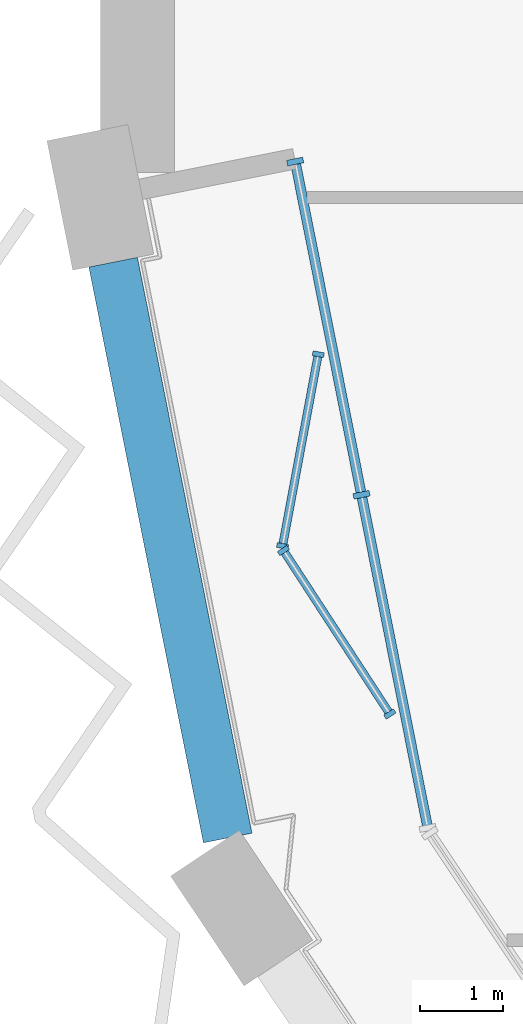
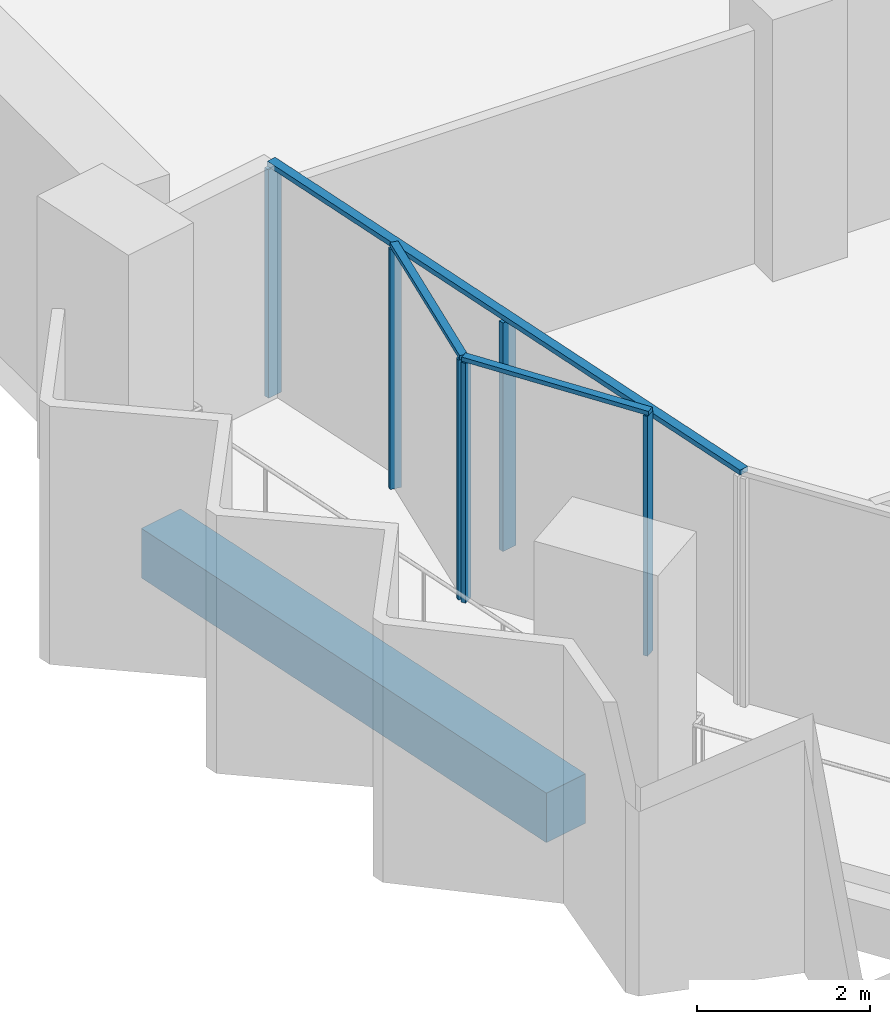
# One storey, part 3 of 17: 9 members, 1 beam, 3 elements without a shape of their own.
"""IFC4 building model written with IfcOpenShell, lengths in metres."""

from ifc_helpers import new_model, si_unit, direction, frame, origin, origin_2d, place, context, subcontext, project, spatial, rectangle, extrude, material, material_profile, profile_set, type_object, element, aggregate, save


model = new_model("IFC4")

# Units and contexts
model_context = context("Model", 3, precision=1e-05, world=origin(), true_north=direction((0.0, 1.0)))
body_context = subcontext(model_context, "Body", "Model", "MODEL_VIEW")
ifc_project = project(units=[si_unit("LENGTHUNIT", "METRE"), si_unit("AREAUNIT", "SQUARE_METRE"), si_unit("VOLUMEUNIT", "CUBIC_METRE"), si_unit("PLANEANGLEUNIT", "RADIAN"), si_unit("MASSUNIT", "GRAM", prefix="KILO")], contexts=[model_context])

# Site, building, storey
site_placement = place(None, origin())
site = spatial("IfcSite", under=ifc_project, at=site_placement, CompositionType="ELEMENT")
building_placement = place(site_placement, origin())
building = spatial("IfcBuilding", under=site, at=building_placement, Name="Hunhe Ridgeline Campus", CompositionType="ELEMENT")
storey_placement = place(building_placement, frame((0.0, 0.0, 268.800048828125)))
storey = spatial("IfcBuildingStorey", under=building, at=storey_placement, Name="L69", CompositionType="ELEMENT", Elevation=268.800048828125)

# Curtain wall, members
ifc_material_1 = material(Name="Aluminium 6063", Category="aluminium")
curtain_wall_type_1 = type_object("IfcCurtainWallType", Name="Curtain wall CW-2", PredefinedType="NOTDEFINED", material=ifc_material_1)
curtain_wall_1_placement = place(storey_placement, origin())
curtain_wall_1 = element("IfcCurtainWall", 1, at=curtain_wall_1_placement, inside=storey, type_object=curtain_wall_type_1, Name="Curtain wall B01a", PredefinedType="NOTDEFINED")
ifc_material_profile_1 = material_profile(ifc_material_1, rectangle(XDim=0.139892578125, YDim=0.06005859375, at=origin_2d()))
ifc_profile_set_1 = profile_set([ifc_material_profile_1], Name="Aluminium 6063")
member_type_1 = type_object("IfcMemberType", Name="CW-2 aluminium mullion", PredefinedType="MULLION", material=ifc_profile_set_1)
member_1_placement = place(storey_placement, frame((2.64111328125, 43.100341796875, 0.0), z_axis=(0.0, 0.0, 1.0), x_axis=(0.983091954213, -0.183112559813, 0.0)))
member_1 = element("IfcMember", 2, at=member_1_placement, type_object=member_type_1, Name="CW-2 mullion 1", PredefinedType="MULLION", context=body_context, shape_type="SweptSolid", body=[
    extrude(rectangle(XDim=0.139892578125, YDim=0.06005859375, at=origin_2d()), origin(), (0.0, 0.0, 1.0), 3.389892578125),
])
member_2_placement = place(storey_placement, frame((2.20849609375, 40.77685546875, 0.0), z_axis=(0.0, 0.0, 1.0), x_axis=(0.983091954213, -0.183112559813, 0.0)))
member_2 = element("IfcMember", 3, at=member_2_placement, type_object=member_type_1, Name="CW-2 mullion 2", PredefinedType="MULLION", context=body_context, shape_type="SweptSolid", body=[
    extrude(rectangle(XDim=0.139892578125, YDim=0.06005859375, at=origin_2d()), origin(), (0.0, 0.0, 1.0), 3.389892578125),
])

curtain_wall_2_placement = place(storey_placement, origin())
curtain_wall_2 = element("IfcCurtainWall", 4, at=curtain_wall_2_placement, inside=storey, type_object=curtain_wall_type_1, Name="Curtain wall B01b", PredefinedType="NOTDEFINED")
member_3_placement = place(storey_placement, frame((2.21923828125, 40.722412109375, 0.0), z_axis=(0.0, 0.0, 1.0), x_axis=(0.838178845176, 0.545395474403, 0.0)))
member_3 = element("IfcMember", 5, at=member_3_placement, type_object=member_type_1, Name="CW-2 mullion 1", PredefinedType="MULLION", context=body_context, shape_type="SweptSolid", body=[
    extrude(rectangle(XDim=0.139892578125, YDim=0.06005859375, at=origin_2d()), origin(), (0.0, 0.0, 1.0), 3.389892578125),
])
member_4_placement = place(storey_placement, frame((3.50830078125, 38.741455078125, 0.0), z_axis=(0.0, 0.0, 1.0), x_axis=(0.838178845176, 0.545395474403, 0.0)))
member_4 = element("IfcMember", 6, at=member_4_placement, type_object=member_type_1, Name="CW-2 mullion 2", PredefinedType="MULLION", context=body_context, shape_type="SweptSolid", body=[
    extrude(rectangle(XDim=0.139892578125, YDim=0.06005859375, at=origin_2d()), origin(), (0.0, 0.0, 1.0), 3.389892578125),
])

# Member
ifc_material_profile_2 = material_profile(ifc_material_1, rectangle(XDim=0.10009765625, YDim=0.06005859375, at=origin_2d()))
ifc_profile_set_2 = profile_set([ifc_material_profile_2], Name="Aluminium 6063")
member_type_2 = type_object("IfcMemberType", Name="CW-2 aluminium transom", PredefinedType="USERDEFINED", material=ifc_profile_set_2)
member_5_placement = place(storey_placement, frame((2.646728515625, 43.1298828125, 3.419921875), z_axis=(-0.183157011524, -0.983083673514, 0.0), x_axis=(0.983083673514, -0.183157011524, 0.0)))
member_5 = element("IfcMember", 7, at=member_5_placement, type_object=member_type_2, Name="CW-2 transom 1", ObjectType="TRANSOM", PredefinedType="USERDEFINED", context=body_context, shape_type="SweptSolid", body=[
    extrude(rectangle(XDim=0.10009765625, YDim=0.06005859375, at=origin_2d()), origin(), (0.0, 0.0, 1.0), 2.42333984375),
])

aggregate(curtain_wall_1, [member_5, member_1, member_2])

member_6_placement = place(storey_placement, frame((2.202880859375, 40.74755859375, 3.419921875), z_axis=(0.54541319982, -0.838167311139, 0.0), x_axis=(0.838167311139, 0.54541319982, 0.0)))
member_6 = element("IfcMember", 8, at=member_6_placement, type_object=member_type_2, Name="CW-2 transom 1", ObjectType="TRANSOM", PredefinedType="USERDEFINED", context=body_context, shape_type="SweptSolid", body=[
    extrude(rectangle(XDim=0.10009765625, YDim=0.06005859375, at=origin_2d()), origin(), (0.0, 0.0, 1.0), 2.42333984375),
])

aggregate(curtain_wall_2, [member_6, member_3, member_4])

# Curtain wall, members
curtain_wall_type_2 = type_object("IfcCurtainWallType", Name="Curtain wall CW-5", PredefinedType="NOTDEFINED", material=ifc_material_1)
curtain_wall_3_placement = place(storey_placement, origin())
curtain_wall_3 = element("IfcCurtainWall", 9, at=curtain_wall_3_placement, inside=storey, type_object=curtain_wall_type_2, Name="Curtain wall 01", PredefinedType="NOTDEFINED")
ifc_material_profile_3 = material_profile(ifc_material_1, rectangle(XDim=0.199951171875, YDim=0.070068359375, at=origin_2d()))
ifc_profile_set_3 = profile_set([ifc_material_profile_3], Name="Aluminium 6063")
member_type_3 = type_object("IfcMemberType", Name="CW-5 aluminium mullion", PredefinedType="MULLION", material=ifc_profile_set_3)
member_7_placement = place(storey_placement, frame((2.361572265625, 45.434326171875, 0.0), z_axis=(0.0, 0.0, 1.0), x_axis=(0.980784280831, 0.195095347137, 0.0)))
member_7 = element("IfcMember", 10, at=member_7_placement, type_object=member_type_3, Name="CW-5 mullion 1", PredefinedType="MULLION", context=body_context, shape_type="SweptSolid", body=[
    extrude(rectangle(XDim=0.199951171875, YDim=0.070068359375, at=origin_2d()), origin(), (0.0, 0.0, 1.0), 3.22998046875),
])
member_8_placement = place(storey_placement, frame((3.16455078125, 41.3974609375, 0.0), z_axis=(0.0, 0.0, 1.0), x_axis=(0.980784280831, 0.195095347137, 0.0)))
member_8 = element("IfcMember", 11, at=member_8_placement, type_object=member_type_3, Name="CW-5 mullion 2", PredefinedType="MULLION", context=body_context, shape_type="SweptSolid", body=[
    extrude(rectangle(XDim=0.199951171875, YDim=0.070068359375, at=origin_2d()), origin(), (0.0, 0.0, 1.0), 3.22998046875),
])
ifc_material_profile_4 = material_profile(ifc_material_1, rectangle(XDim=0.1201171875, YDim=0.070068359375, at=origin_2d()))
ifc_profile_set_4 = profile_set([ifc_material_profile_4], Name="Aluminium 6063")
member_type_4 = type_object("IfcMemberType", Name="CW-5 aluminium transom", PredefinedType="USERDEFINED", material=ifc_profile_set_4)
member_9_placement = place(storey_placement, frame((2.354736328125, 45.46875, 3.264892578125), z_axis=(0.195092405068, -0.980784866056, 0.0), x_axis=(0.980784866056, 0.195092405068, 0.0)))
member_9 = element("IfcMember", 12, at=member_9_placement, type_object=member_type_4, Name="CW-5 transom 1", ObjectType="TRANSOM", PredefinedType="USERDEFINED", context=body_context, shape_type="SweptSolid", body=[
    extrude(rectangle(XDim=0.1201171875, YDim=0.070068359375, at=origin_2d()), origin(), (0.0, 0.0, 1.0), 8.3017578125),
])
aggregate(curtain_wall_3, [member_9, member_7, member_8])

# Beam
ifc_material_2 = material(Name="Concrete C50", Category="concrete")
ifc_material_profile_5 = material_profile(ifc_material_2, rectangle(XDim=0.60009765625, YDim=0.699951171875, at=origin_2d()))
ifc_profile_set_5 = profile_set([ifc_material_profile_5], Name="Concrete C50")
beam_type = type_object("IfcBeamType", Name="RC spandrel beam 600x700 Concrete C50", PredefinedType="SPANDREL", material=ifc_profile_set_5)
beam_placement = place(storey_placement, frame((0.156005859375, 44.21533203125, -0.60009765625), z_axis=(0.195092933717, -0.9807847609, 0.0), x_axis=(0.9807847609, 0.195092933717, 0.0)))
element("IfcBeam", 13, at=beam_placement, inside=storey, type_object=beam_type, Name="Spandrel beam B4-1 L69", PredefinedType="SPANDREL", context=body_context, shape_type="SweptSolid", body=[
    extrude(rectangle(XDim=0.60009765625, YDim=0.699951171875, at=origin_2d()), origin(), (0.0, 0.0, 1.0), 7.113037109375),
])

save(model, "model.ifc")
